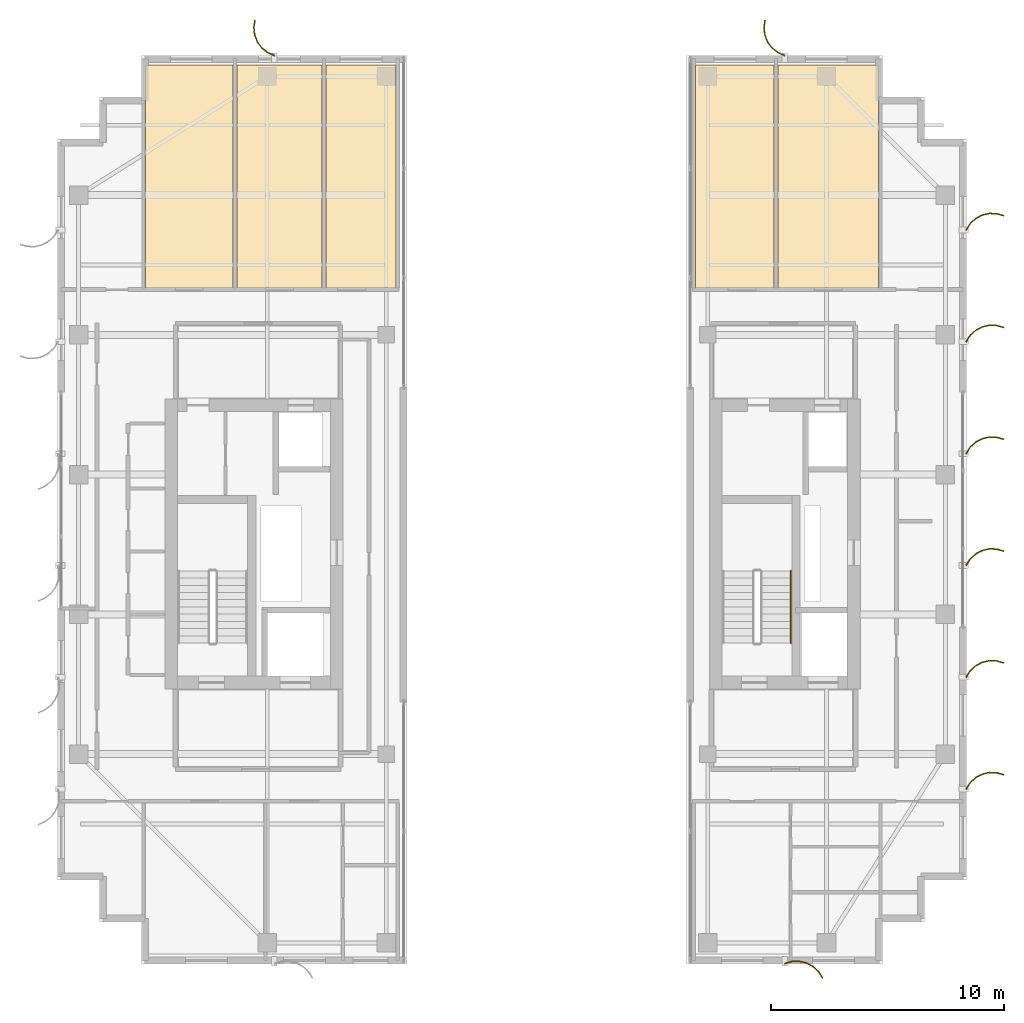
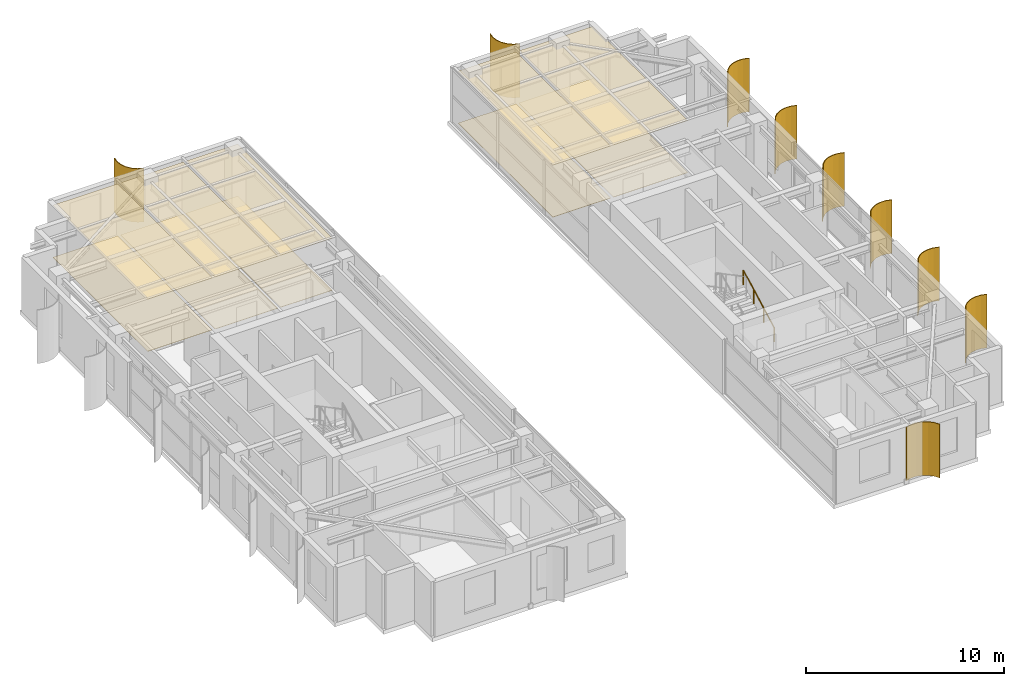
# One storey, part 24 of 24: 10 coverings, 9 shading devices, 1 railing.
"""IFC4 building model written with IfcOpenShell, lengths in metres."""

import ifcopenshell
import ifcopenshell.guid

model = None  # the IFC model being written
_history = None  # IfcOwnerHistory: only IFC2X3 demands one
_inside = {}  # id of a spatial element -> (the spatial element, [elements in it])
_under = {}  # id of a project, library or spatial element -> (it, [spatial elements below it])
_declared = {}  # id of a project -> (the project, [libraries it declares])
_typed = {}  # id of a type object -> (the type object, [elements of that type])
_made_of = {}  # id of a material, layer set ... -> (it, [elements and type objects made of it])


def new_model(schema):
    """Start an empty IFC model of exactly this schema.

    Asked for "IFC4X3", IfcOpenShell would pick the latest addendum, in which some entities
    have other attributes; the version numbers below select the first issue.
    IFC2X3 requires an IfcOwnerHistory on every rooted entity: one is made here for all.
    """
    global model, _history
    if schema == "IFC4X3":
        model = ifcopenshell.file(schema_version=(4, 3, 0, 0))
    else:
        model = ifcopenshell.file(schema=schema)
    _inside.clear()
    _under.clear()
    _declared.clear()
    _typed.clear()
    _made_of.clear()
    _history = None
    if model.schema == "IFC2X3":
        org = make("IfcOrganization", Name="unknown")
        user = make(
            "IfcPersonAndOrganization",
            ThePerson=make("IfcPerson", FamilyName="unknown"),
            TheOrganization=org,
        )
        app = make(
            "IfcApplication",
            ApplicationDeveloper=org,
            Version="unknown",
            ApplicationFullName="unknown",
            ApplicationIdentifier="unknown",
        )
        _history = make(
            "IfcOwnerHistory",
            OwningUser=user,
            OwningApplication=app,
            ChangeAction="ADDED",
            CreationDate=0,
        )
    return model


def make(cls, **values):
    """One entity of the class cls with the attributes given. An attribute that is None is left unset."""
    return model.create_entity(
        cls, **{name: value for name, value in values.items() if value is not None}
    )


def rooted(cls, **values):
    """An entity with a GlobalId (a new one), such as an element, a storey or a relation."""
    return make(cls, GlobalId=ifcopenshell.guid.new(), OwnerHistory=_history, **values)


def si_unit(unit_type, name, prefix=None):
    """IfcSIUnit, for example si_unit("LENGTHUNIT", "METRE", prefix="MILLI")."""
    return make("IfcSIUnit", UnitType=unit_type, Prefix=prefix, Name=name)


def assignment(units):
    """IfcUnitAssignment: the units of a project."""
    return None if units is None else make("IfcUnitAssignment", Units=units)


def point(xyz):
    """IfcCartesianPoint."""
    return None if xyz is None else make("IfcCartesianPoint", Coordinates=xyz)


def direction(xyz):
    """IfcDirection."""
    return None if xyz is None else make("IfcDirection", DirectionRatios=xyz)


def frame(location, z_axis=None, x_axis=None):
    """IfcAxis2Placement3D, a coordinate frame: its origin and axes. An axis left out is left unset."""
    return make(
        "IfcAxis2Placement3D",
        Location=point(location),
        Axis=direction(z_axis),
        RefDirection=direction(x_axis),
    )


def frame_2d(location, x_axis=None):
    """IfcAxis2Placement2D, a coordinate frame in the plane: its origin and x axis."""
    return make(
        "IfcAxis2Placement2D", Location=point(location), RefDirection=direction(x_axis)
    )


def origin():
    """The frame at (0, 0, 0) with its axes left unset."""
    return frame((0.0, 0.0, 0.0))


def origin_2d():
    """The frame at (0, 0) in the plane with its x axis left unset."""
    return frame_2d((0.0, 0.0))


def place(relative_to, where):
    """IfcLocalPlacement: puts the frame where relative to a parent placement (None: the world)."""
    return make(
        "IfcLocalPlacement", PlacementRelTo=relative_to, RelativePlacement=where
    )


def context(
    kind, dimensions, precision=None, world=None, true_north=None, identifier=None
):
    """IfcGeometricRepresentationContext, for example the 3D "Model" context."""
    return make(
        "IfcGeometricRepresentationContext",
        ContextIdentifier=identifier,
        ContextType=kind,
        CoordinateSpaceDimension=dimensions,
        Precision=precision,
        WorldCoordinateSystem=world,
        TrueNorth=true_north,
    )


def subcontext(parent, identifier, kind, view, scale=None):
    """IfcGeometricRepresentationSubContext, for example "Body" below "Model"."""
    return make(
        "IfcGeometricRepresentationSubContext",
        ContextIdentifier=identifier,
        ContextType=kind,
        ParentContext=parent,
        TargetScale=scale,
        TargetView=view,
    )


def project(units=None, contexts=None):
    """IfcProject with its units and contexts."""
    return rooted(
        "IfcProject",
        Name="project",
        RepresentationContexts=contexts,
        UnitsInContext=assignment(units),
    )


def spatial(cls, under=None, at=None, **own):
    """A site, building, storey or space (cls), placed at a placement, below another one or the project."""
    s = rooted(cls, ObjectPlacement=at, **own)
    if under is not None:
        _under.setdefault(under.id(), (under, []))[1].append(s)
    return s


def polyline(points):
    """IfcPolyline through the points."""
    return make("IfcPolyline", Points=[point(p) for p in points])


def profile(cls, at=None, kind="AREA", **sizes):
    """A parametric profile (cls). Its sizes go by their IFC names, for example OverallWidth=200.0."""
    return make(cls, ProfileType=kind, Position=at, **sizes)


def circle(**sizes):
    """IfcCircleProfileDef."""
    return profile("IfcCircleProfileDef", **sizes)


def outline(outer, holes=None, kind="AREA"):
    """IfcArbitraryClosedProfileDef: a profile drawn as a closed curve; with holes, ...WithVoids."""
    if holes is None:
        return make("IfcArbitraryClosedProfileDef", ProfileType=kind, OuterCurve=outer)
    return make(
        "IfcArbitraryProfileDefWithVoids",
        ProfileType=kind,
        OuterCurve=outer,
        InnerCurves=holes,
    )


def extrude(swept, where, along, depth):
    """IfcExtrudedAreaSolid: the profile swept, set in the frame where, extruded along a direction by depth."""
    return make(
        "IfcExtrudedAreaSolid",
        SweptArea=swept,
        Position=where,
        ExtrudedDirection=direction(along),
        Depth=depth,
    )


def shape(context_of_items, identifier, shape_type, items):
    """IfcShapeRepresentation: the items that make up one representation, for example the "Body"."""
    return make(
        "IfcShapeRepresentation",
        ContextOfItems=context_of_items,
        RepresentationIdentifier=identifier,
        RepresentationType=shape_type,
        Items=items,
    )


def source(mapping_origin, context_of_items, identifier, shape_type, items):
    """IfcRepresentationMap: a shape defined once, which mapped items show again and again."""
    return make(
        "IfcRepresentationMap",
        MappingOrigin=mapping_origin,
        MappedRepresentation=shape(context_of_items, identifier, shape_type, items),
    )


def transform(
    local_origin,
    x_axis=None,
    y_axis=None,
    z_axis=None,
    scale=None,
    scale2=None,
    scale3=None,
    uniform=True,
):
    """IfcCartesianTransformationOperator3D, or its non-uniform kind. x_axis, y_axis, z_axis: its Axis1, 2, 3."""
    if uniform:
        return make(
            "IfcCartesianTransformationOperator3D",
            Axis1=direction(x_axis),
            Axis2=direction(y_axis),
            LocalOrigin=point(local_origin),
            Scale=scale,
            Axis3=direction(z_axis),
        )
    return make(
        "IfcCartesianTransformationOperator3DnonUniform",
        Axis1=direction(x_axis),
        Axis2=direction(y_axis),
        LocalOrigin=point(local_origin),
        Scale=scale,
        Axis3=direction(z_axis),
        Scale2=scale2,
        Scale3=scale3,
    )


def mapped(mapping_source, mapping_target):
    """IfcMappedItem: shows the shape of a source again, moved by a transform."""
    return make(
        "IfcMappedItem", MappingSource=mapping_source, MappingTarget=mapping_target
    )


def material(Name=None, Category=None):
    """IfcMaterial."""
    return make("IfcMaterial", Name=Name, Category=Category)


def layer(
    of_material, thickness, ventilated=None, Name=None, Category=None, Priority=None
):
    """IfcMaterialLayer: one layer of a wall or slab, of a material (None: an air gap)."""
    return make(
        "IfcMaterialLayer",
        Material=of_material,
        LayerThickness=thickness,
        IsVentilated=ventilated,
        Name=Name,
        Category=Category,
        Priority=Priority,
    )


def layer_set(layers, Name=None):
    """IfcMaterialLayerSet."""
    return make("IfcMaterialLayerSet", MaterialLayers=layers, LayerSetName=Name)


def made_of(thing, what):
    """Note that an element or type object is made of a material, layer set ...; save() writes the relation."""
    if what is not None:
        _made_of.setdefault(what.id(), (what, []))[1].append(thing)
    return thing


def type_object(cls, material=None, **own):
    """A type object (cls), such as IfcWallType, which elements share."""
    return made_of(rooted(cls, **own), material)


def element(
    cls,
    number,
    at=None,
    inside=None,
    cuts=None,
    type_object=None,
    material=None,
    context=None,
    identifier="Body",
    shape_type=None,
    held_by="IfcProductDefinitionShape",
    body=None,
    shapes=None,
    **own,
):
    """One element of the class cls, such as IfcWall. Its Tag is "e" and its number.

    at: its placement. inside: the storey or other place that contains it. cuts: it is an
    opening in that element (IfcRelVoidsElement). A single representation is given by context,
    identifier, shape_type and body (its items); several are given by shapes. held_by: the class
    of the entity that holds the representations. save() writes the other relations.
    """
    e = rooted(cls, Tag="e%d" % number, ObjectPlacement=at, **own)
    if body is not None:
        shapes = [shape(context, identifier, shape_type, body)]
    if shapes is not None:
        e.Representation = make(held_by, Representations=shapes)
    if inside is not None:
        _inside.setdefault(inside.id(), (inside, []))[1].append(e)
    if cuts is not None:
        rooted(
            "IfcRelVoidsElement", RelatingBuildingElement=cuts, RelatedOpeningElement=e
        )
    if type_object is not None:
        _typed.setdefault(type_object.id(), (type_object, []))[1].append(e)
    return made_of(e, material)


def aggregate(whole, parts):
    """IfcRelAggregates: a whole, such as a stair, and the parts it consists of."""
    return rooted("IfcRelAggregates", RelatingObject=whole, RelatedObjects=parts)


def save(model, path):
    """Write the relations noted so far, then the file.

    IfcRelAggregates (storeys below a building ...), IfcRelContainedInSpatialStructure (elements
    in a storey), IfcRelDefinesByType, IfcRelAssociatesMaterial and IfcRelDeclares: one each for
    every whole, place, type object, material and project.
    """
    for whole, parts in _under.values():
        aggregate(whole, parts)
    for where, things in _inside.values():
        rooted(
            "IfcRelContainedInSpatialStructure",
            RelatedElements=things,
            RelatingStructure=where,
        )
    for kind, things in _typed.values():
        rooted("IfcRelDefinesByType", RelatedObjects=things, RelatingType=kind)
    for what, things in _made_of.values():
        rooted("IfcRelAssociatesMaterial", RelatedObjects=things, RelatingMaterial=what)
    for by, libraries in _declared.values():
        rooted("IfcRelDeclares", RelatingContext=by, RelatedDefinitions=libraries)
    model.write(path)


model = new_model("IFC4")

# Units and contexts
model_context = context("Model", 3, precision=1e-05, world=origin(), true_north=direction((0.0, 1.0)))
body_context = subcontext(model_context, "Body", "Model", "MODEL_VIEW")
ifc_project = project(units=[si_unit("LENGTHUNIT", "METRE"), si_unit("AREAUNIT", "SQUARE_METRE"), si_unit("VOLUMEUNIT", "CUBIC_METRE"), si_unit("PLANEANGLEUNIT", "RADIAN"), si_unit("MASSUNIT", "GRAM", prefix="KILO")], contexts=[model_context])

# Site, building, storey
site_placement = place(None, origin())
site = spatial("IfcSite", under=ifc_project, at=site_placement, CompositionType="ELEMENT")
building_placement = place(site_placement, origin())
building = spatial("IfcBuilding", under=site, at=building_placement, Name="Khoralis Quay Care Tower", CompositionType="ELEMENT")
storey_placement = place(building_placement, frame((0.0, 0.0, 234.89990234375)))
storey = spatial("IfcBuildingStorey", under=building, at=storey_placement, Name="L61", CompositionType="ELEMENT", Elevation=234.89990234375)

# Coverings
ifc_material_1 = material(Name="Mineral-fibre acoustic ceiling tile")
ifc_layer_1 = layer(ifc_material_1, 0.01806640625)
ifc_layer_set_1 = layer_set([ifc_layer_1], Name="Mineral-fibre acoustic ceiling tile")
covering_type_1 = type_object("IfcCoveringType", Name="COV-CEIL-AC18", PredefinedType="CEILING", material=ifc_layer_set_1)
covering_1_placement = place(storey_placement, frame((0.0, 0.0, 3.212158203125)))
element("IfcCovering", 1, at=covering_1_placement, inside=storey, type_object=covering_type_1, Name="Suspended Acoustic Ceiling SP-L61-WN-COM0", PredefinedType="CEILING", context=body_context, shape_type="SweptSolid", body=[
    extrude(outline(polyline([(6.760009765625, 32.02001953125), (10.530029296875, 32.02001953125), (10.530029296875, 41.580078125), (6.760009765625, 41.580078125), (6.760009765625, 32.02001953125)])), origin(), (0.0, 0.0, 1.0), 0.017822265625),
])
covering_2_placement = place(storey_placement, frame((0.0, 0.0, 3.212158203125)))
element("IfcCovering", 2, at=covering_2_placement, inside=storey, type_object=covering_type_1, Name="Suspended Acoustic Ceiling SP-L61-WN-COM1", PredefinedType="CEILING", context=body_context, shape_type="SweptSolid", body=[
    extrude(outline(polyline([(10.68994140625, 32.02001953125), (14.35009765625, 32.02001953125), (14.35009765625, 41.580078125), (10.68994140625, 41.580078125), (10.68994140625, 32.02001953125)])), origin(), (0.0, 0.0, 1.0), 0.017822265625),
])
covering_3_placement = place(storey_placement, frame((0.0, 0.0, 3.212158203125)))
element("IfcCovering", 3, at=covering_3_placement, inside=storey, type_object=covering_type_1, Name="Suspended Acoustic Ceiling SP-L61-WN-COM2", PredefinedType="CEILING", context=body_context, shape_type="SweptSolid", body=[
    extrude(outline(polyline([(14.510009765625, 32.02001953125), (17.52001953125, 32.02001953125), (17.52001953125, 41.580078125), (14.510009765625, 41.580078125), (14.510009765625, 32.02001953125)])), origin(), (0.0, 0.0, 1.0), 0.017822265625),
])
covering_4_placement = place(storey_placement, frame((0.0, 0.0, 3.212158203125)))
element("IfcCovering", 4, at=covering_4_placement, inside=storey, type_object=covering_type_1, Name="Suspended Acoustic Ceiling SP-L61-EN-COM0", PredefinedType="CEILING", context=body_context, shape_type="SweptSolid", body=[
    extrude(outline(polyline([(30.3798828125, 32.02001953125), (33.75, 32.02001953125), (33.75, 41.580078125), (30.3798828125, 41.580078125), (30.3798828125, 32.02001953125)])), origin(), (0.0, 0.0, 1.0), 0.017822265625),
])
covering_5_placement = place(storey_placement, frame((0.0, 0.0, 3.212158203125)))
element("IfcCovering", 5, at=covering_5_placement, inside=storey, type_object=covering_type_1, Name="Suspended Acoustic Ceiling SP-L61-EN-COM1", PredefinedType="CEILING", context=body_context, shape_type="SweptSolid", body=[
    extrude(outline(polyline([(33.909912109375, 32.02001953125), (38.239990234375, 32.02001953125), (38.239990234375, 41.580078125), (33.909912109375, 41.580078125), (33.909912109375, 32.02001953125)])), origin(), (0.0, 0.0, 1.0), 0.017822265625),
])
ifc_material_2 = material(Name="Porcelain and non-slip vinyl flooring")
ifc_layer_2 = layer(ifc_material_2, 0.02001953125)
ifc_layer_set_2 = layer_set([ifc_layer_2], Name="Porcelain and non-slip vinyl flooring")
covering_type_2 = type_object("IfcCoveringType", Name="COV-FLOOR-20", PredefinedType="FLOORING", material=ifc_layer_set_2)
covering_6_placement = place(storey_placement, origin())
element("IfcCovering", 6, at=covering_6_placement, inside=storey, type_object=covering_type_2, Name="Resilient Healthcare Flooring SP-L61-WN-COM0", PredefinedType="FLOORING", context=body_context, shape_type="SweptSolid", body=[
    extrude(outline(polyline([(6.760009765625, 32.02001953125), (10.530029296875, 32.02001953125), (10.530029296875, 41.580078125), (6.760009765625, 41.580078125), (6.760009765625, 32.02001953125)])), origin(), (0.0, 0.0, 1.0), 0.02001953125),
])
covering_7_placement = place(storey_placement, origin())
element("IfcCovering", 7, at=covering_7_placement, inside=storey, type_object=covering_type_2, Name="Resilient Healthcare Flooring SP-L61-WN-COM1", PredefinedType="FLOORING", context=body_context, shape_type="SweptSolid", body=[
    extrude(outline(polyline([(10.68994140625, 32.02001953125), (14.35009765625, 32.02001953125), (14.35009765625, 41.580078125), (10.68994140625, 41.580078125), (10.68994140625, 32.02001953125)])), origin(), (0.0, 0.0, 1.0), 0.02001953125),
])
covering_8_placement = place(storey_placement, origin())
element("IfcCovering", 8, at=covering_8_placement, inside=storey, type_object=covering_type_2, Name="Resilient Healthcare Flooring SP-L61-WN-COM2", PredefinedType="FLOORING", context=body_context, shape_type="SweptSolid", body=[
    extrude(outline(polyline([(14.510009765625, 32.02001953125), (17.52001953125, 32.02001953125), (17.52001953125, 41.580078125), (14.510009765625, 41.580078125), (14.510009765625, 32.02001953125)])), origin(), (0.0, 0.0, 1.0), 0.02001953125),
])
covering_9_placement = place(storey_placement, origin())
element("IfcCovering", 9, at=covering_9_placement, inside=storey, type_object=covering_type_2, Name="Resilient Healthcare Flooring SP-L61-EN-COM0", PredefinedType="FLOORING", context=body_context, shape_type="SweptSolid", body=[
    extrude(outline(polyline([(30.3798828125, 32.02001953125), (33.75, 32.02001953125), (33.75, 41.580078125), (30.3798828125, 41.580078125), (30.3798828125, 32.02001953125)])), origin(), (0.0, 0.0, 1.0), 0.02001953125),
])
covering_10_placement = place(storey_placement, origin())
element("IfcCovering", 10, at=covering_10_placement, inside=storey, type_object=covering_type_2, Name="Resilient Healthcare Flooring SP-L61-EN-COM1", PredefinedType="FLOORING", context=body_context, shape_type="SweptSolid", body=[
    extrude(outline(polyline([(33.909912109375, 32.02001953125), (38.239990234375, 32.02001953125), (38.239990234375, 41.580078125), (33.909912109375, 41.580078125), (33.909912109375, 32.02001953125)])), origin(), (0.0, 0.0, 1.0), 0.02001953125),
])

# Railing
ifc_material_3 = material(Name="Brushed stainless steel", Category="steel")
railing_type = type_object("IfcRailingType", Name="RL-HAND-900", PredefinedType="HANDRAIL", material=ifc_material_3)
railing_placement = place(storey_placement, frame((34.469970703125, 16.77001953125, 0.163818359375)))
element("IfcRailing", 11, at=railing_placement, inside=storey, type_object=railing_type, Name="L61 ST-T2 stair handrail 1", PredefinedType="HANDRAIL", context=body_context, shape_type="SweptSolid", body=[
    extrude(circle(Radius=0.02392578125, at=origin_2d()), frame((0.0, 0.0, 0.8759765625), z_axis=(0.0, 0.884376766648, 0.46677375099), x_axis=(-1.0, 0.0, 0.0)), (0.0, 0.0, 1.0), 3.50537109375),
    extrude(circle(Radius=0.02099609375, at=origin_2d()), origin(), (0.0, 0.0, 1.0), 0.851806640625),
    extrude(circle(Radius=0.02099609375, at=origin_2d()), frame((0.0, 1.033447265625, 0.54541015625)), (0.0, 0.0, 1.0), 0.851806640625),
    extrude(circle(Radius=0.02099609375, at=origin_2d()), frame((0.0, 2.066650390625, 1.0908203125)), (0.0, 0.0, 1.0), 0.851806640625),
    extrude(circle(Radius=0.02099609375, at=origin_2d()), frame((0.0, 3.10009765625, 1.63623046875)), (0.0, 0.0, 1.0), 0.851806640625),
])

# Shading devices
ifc_material_4 = material(Name="Brushed pale anodised aluminium", Category="aluminium")
ifc_layer_3 = layer(ifc_material_4, 0.044921875)
ifc_layer_set_3 = layer_set([ifc_layer_3], Name="Brushed pale anodised aluminium")
shading_device_type = type_object("IfcShadingDeviceType", Name="SHD-FIN-1250", PredefinedType="USERDEFINED", material=ifc_layer_set_3)
shared_shape_1 = source(origin(), body_context, "Body", "SweptSolid", [
    extrude(outline(polyline([(0.0, 0.0), (0.130126953125, 0.29931640625), (0.333251953125, 0.5546875), (0.595458984375, 0.748779296875), (0.899169921875, 0.868408203125), (1.223388671875, 0.9052734375), (1.546142578125, 0.85693359375), (1.53369140625, 0.813720703125), (1.22265625, 0.8603515625), (0.91015625, 0.82470703125), (0.617431640625, 0.70947265625), (0.364501953125, 0.522216796875), (0.168701171875, 0.276123046875), (0.043212890625, -0.012451171875), (0.0, 0.0)])), origin(), (0.0, 0.0, 1.0), 3.300048828125),
])
for number, where, z_axis, x_axis, name in (
    (12, (12.300048828125, 41.969970703125, 0.02001953125), (0.0, 0.0, 1.0), (0.0, 1.0, 0.0), "L61 Curved Solar Fin P1E2-01"),
    (13, (34.199951171875, 41.969970703125, 0.02001953125), (0.0, 0.0, 1.0), (0.0, 1.0, 0.0), "L61 Curved Solar Fin P2E10-01"),
):
    element("IfcShadingDevice", number, at=place(storey_placement, frame(where, z_axis=z_axis, x_axis=x_axis)), inside=storey, type_object=shading_device_type, Name=name, ObjectType="FIN", PredefinedType="USERDEFINED", context=body_context, shape_type="MappedRepresentation", body=[
        mapped(shared_shape_1, transform((0.0, 0.0, 0.0), scale=1.0)),
    ])
shared_shape_2 = source(origin(), body_context, "Body", "SweptSolid", [
    extrude(outline(polyline([(0.0, 0.0), (0.17041015625, 0.2783203125), (0.4072265625, 0.5029296875), (0.694091796875, 0.658447265625), (1.01123046875, 0.734619140625), (1.33740234375, 0.72607421875), (1.650390625, 0.633544921875), (1.632080078125, 0.59228515625), (1.330322265625, 0.681640625), (1.015869140625, 0.68994140625), (0.710205078125, 0.616455078125), (0.43359375, 0.466552734375), (0.20556640625, 0.25), (0.041015625, -0.018310546875), (0.0, 0.0)])), origin(), (0.0, 0.0, 1.0), 3.300048828125),
])
for number, where, z_axis, x_axis, name in (
    (14, (41.969970703125, 10.5, 0.02001953125), (0.0, 0.0, 1.0), (1.0, 0.0, 0.0), "L61 Curved Solar Fin P2E5-01"),
    (15, (41.969970703125, 15.300048828125, 0.02001953125), (0.0, 0.0, 1.0), (1.0, 0.0, 0.0), "L61 Curved Solar Fin P2E5-02"),
    (16, (41.969970703125, 20.10009765625, 0.02001953125), (0.0, 0.0, 1.0), (1.0, 0.0, 0.0), "L61 Curved Solar Fin P2E5-03"),
    (17, (41.969970703125, 24.89990234375, 0.02001953125), (0.0, 0.0, 1.0), (1.0, 0.0, 0.0), "L61 Curved Solar Fin P2E5-04"),
    (18, (41.969970703125, 29.699951171875, 0.02001953125), (0.0, 0.0, 1.0), (1.0, 0.0, 0.0), "L61 Curved Solar Fin P2E5-05"),
    (19, (41.969970703125, 34.5, 0.02001953125), (0.0, 0.0, 1.0), (1.0, 0.0, 0.0), "L61 Curved Solar Fin P2E5-06"),
):
    element("IfcShadingDevice", number, at=place(storey_placement, frame(where, z_axis=z_axis, x_axis=x_axis)), inside=storey, type_object=shading_device_type, Name=name, ObjectType="FIN", PredefinedType="USERDEFINED", context=body_context, shape_type="MappedRepresentation", body=[
        mapped(shared_shape_2, transform((0.0, 0.0, 0.0), scale=1.0)),
    ])
shared_shape_3 = source(origin(), body_context, "Body", "SweptSolid", [
    extrude(outline(polyline([(0.0, 0.0), (-0.0927734375, 0.31298828125), (-0.101318359375, 0.63916015625), (-0.025146484375, 0.956298828125), (0.130615234375, 1.2431640625), (0.355224609375, 1.479736328125), (0.633544921875, 1.650390625), (0.65185546875, 1.609130859375), (0.383544921875, 1.44482421875), (0.1669921875, 1.216796875), (0.01708984375, 0.940185546875), (-0.056396484375, 0.63427734375), (-0.04833984375, 0.31982421875), (0.041015625, 0.018310546875), (0.0, 0.0)])), origin(), (0.0, 0.0, 1.0), 3.300048828125),
])
shading_device_placement = place(storey_placement, frame((34.199951171875, 3.030029296875, 0.02001953125), z_axis=(0.0, 0.0, 1.0), x_axis=(0.0, -1.0, 0.0)))
element("IfcShadingDevice", 20, at=shading_device_placement, inside=storey, type_object=shading_device_type, Name="L61 Curved Solar Fin P2E0-01", ObjectType="FIN", PredefinedType="USERDEFINED", context=body_context, shape_type="MappedRepresentation", body=[
    mapped(shared_shape_3, transform((0.0, 0.0, 0.0), scale=1.0)),
])

save(model, "model.ifc")
